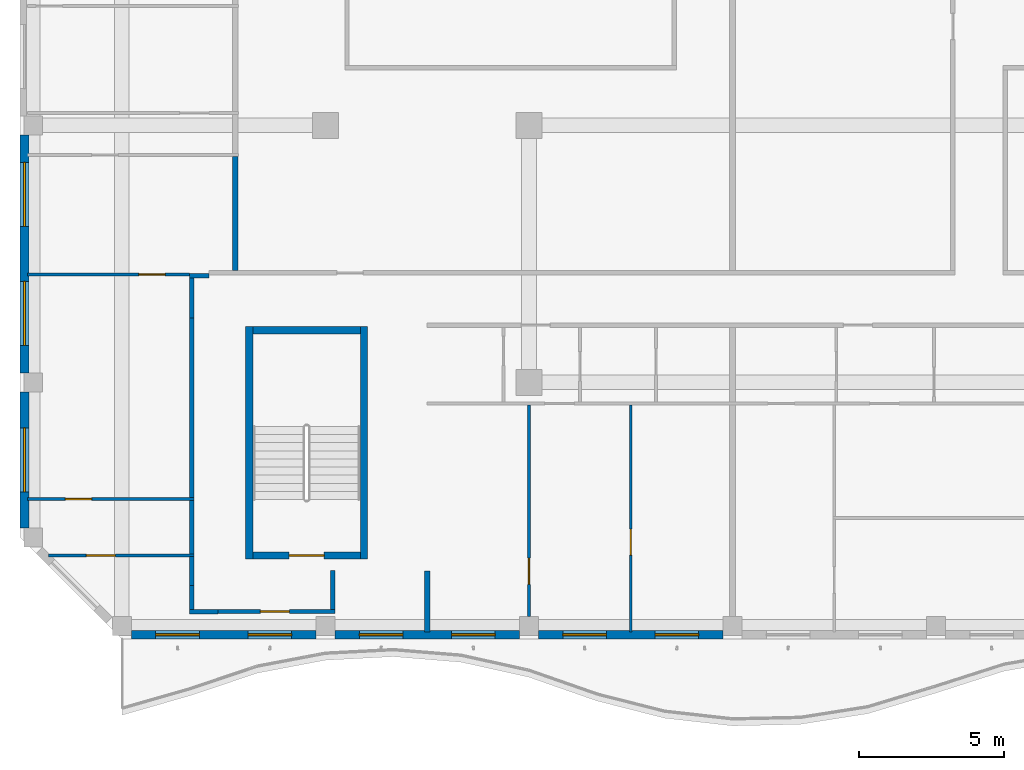
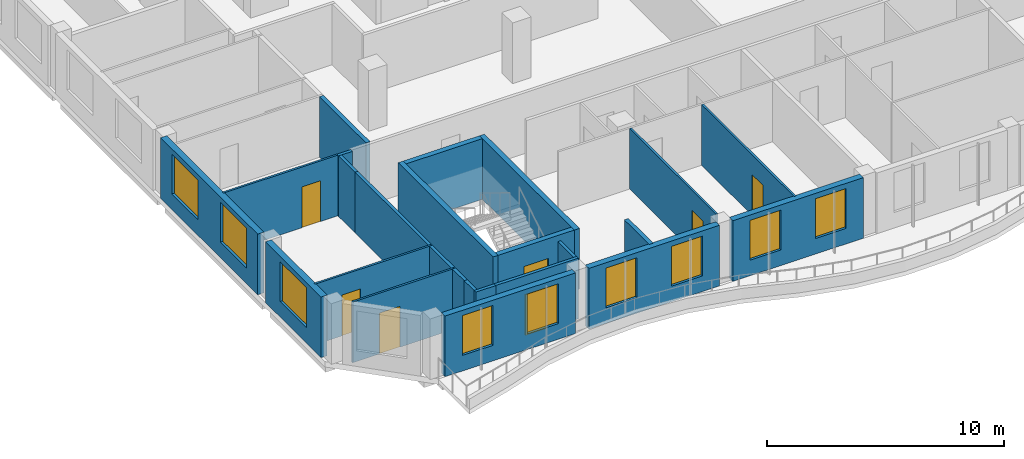
# One storey, part 2 of 18: 25 walls, 9 windows, 7 doors, 16 openings.
"""IFC4 building model written with IfcOpenShell, lengths in metres."""

from ifc_helpers import new_model, si_unit, direction, frame, frame_2d, origin, place, context, subcontext, project, spatial, rectangle, extrude, source, transform, mapped, material, layer, layer_set, type_object, element, fill, save


model = new_model("IFC4")

# Units and contexts
model_context = context("Model", 3, precision=1e-05, world=origin(), true_north=direction((0.0, 1.0)))
body_context = subcontext(model_context, "Body", "Model", "MODEL_VIEW")
ifc_project = project(units=[si_unit("LENGTHUNIT", "METRE"), si_unit("AREAUNIT", "SQUARE_METRE"), si_unit("VOLUMEUNIT", "CUBIC_METRE"), si_unit("PLANEANGLEUNIT", "RADIAN"), si_unit("MASSUNIT", "GRAM", prefix="KILO")], contexts=[model_context])

# Site, building, storey
site_placement = place(None, origin())
site = spatial("IfcSite", under=ifc_project, at=site_placement, CompositionType="ELEMENT")
building_placement = place(site_placement, origin())
building = spatial("IfcBuilding", under=site, at=building_placement, Name="Kilnfold Tower and Market Hall", CompositionType="ELEMENT")
storey_placement = place(building_placement, frame((0.0, 0.0, 280.60009765625)))
storey = spatial("IfcBuildingStorey", under=building, at=storey_placement, Name="L69", CompositionType="ELEMENT", Elevation=280.60009765625)

# Wall
ifc_material_1 = material(Name="Gypsum board on steel studs", Category="steel")
ifc_layer_1 = layer(ifc_material_1, 0.14990234375)
ifc_layer_set_1 = layer_set([ifc_layer_1], Name="Gypsum board on steel studs")
wall_type_1 = type_object("IfcWallType", Name="WALL CORRIDOR 150", PredefinedType="PARTITIONING", material=ifc_layer_set_1)
wall_1_placement = place(storey_placement, frame((-14.75, -17.47509765625, 0.0), z_axis=(0.0, 0.0, 1.0), x_axis=(0.0, 1.0, 0.0)))
element("IfcWall", 1, at=wall_1_placement, inside=storey, type_object=wall_type_1, Name="Partition LY42.1", PredefinedType="PARTITIONING", context=body_context, shape_type="SweptSolid", body=[
    extrude(rectangle(XDim=1.335205078125, YDim=0.14990234375, at=frame_2d((0.66748046875, 0.0))), origin(), (0.0, 0.0, 1.0), 3.119873046875),
])

# Wall, opening, door
wall_2_placement = place(storey_placement, frame((-18.697998046875, -17.550048828125, 0.0), z_axis=(0.0, 0.0, 1.0), x_axis=(1.0, 0.0, 0.0)))
wall_2 = element("IfcWall", 2, at=wall_2_placement, inside=storey, type_object=wall_type_1, Name="Partition LY42.2", PredefinedType="PARTITIONING", context=body_context, shape_type="SweptSolid", body=[
    extrude(rectangle(XDim=4.02294921875, YDim=0.14990234375, at=frame_2d((2.011474609375, 0.0))), origin(), (0.0, 0.0, 1.0), 3.119873046875),
])
opening_1_placement = place(wall_2_placement, frame((1.4599609375, 0.0, 0.0)))
opening_1 = element("IfcOpeningElement", 3, at=opening_1_placement, cuts=wall_2, Name="Opening D1", PredefinedType="OPENING", context=body_context, shape_type="SweptSolid", body=[
    extrude(rectangle(XDim=1.0, YDim=2.10009765625, at=frame_2d((0.5, 1.050048828125))), frame((0.0, 0.0849609375, 0.0), z_axis=(0.0, -1.0, 0.0), x_axis=(1.0, 0.0, 0.0)), (0.0, 0.0, 1.0), 0.169921875),
])
ifc_material_2 = material(Name="Timber veneer door leaf in steel frame", Category="steel")
door_type_1 = type_object("IfcDoorType", Name="DOOR ENTRY 1000 X2100", OperationType="NOTDEFINED", PredefinedType="DOOR", material=ifc_material_2)
door_1_placement = place(opening_1_placement, origin())
door_1 = element("IfcDoor", 4, at=door_1_placement, inside=storey, type_object=door_type_1, Name="Door D1", OperationType="SINGLE_SWING_RIGHT", OverallHeight=2.10009765625, OverallWidth=1.0, PredefinedType="DOOR", context=body_context, shape_type="SweptSolid", body=[
    extrude(rectangle(XDim=1.0, YDim=2.10009765625, at=frame_2d((0.5, 1.050048828125))), frame((0.0, 0.02490234375, 0.0), z_axis=(0.0, -1.0, 0.0), x_axis=(1.0, 0.0, 0.0)), (0.0, 0.0, 1.0), 0.050048828125),
])
fill(opening_1, door_1)

# Walls
wall_3_placement = place(storey_placement, frame((-19.677001953125, -17.552001953125, 0.0), z_axis=(0.0, 0.0, 1.0), x_axis=(1.0, 0.0, 0.0)))
element("IfcWall", 5, at=wall_3_placement, inside=storey, type_object=wall_type_1, Name="Partition LY42.3", PredefinedType="PARTITIONING", context=body_context, shape_type="SweptSolid", body=[
    extrude(rectangle(XDim=0.97900390625, YDim=0.14990234375, at=frame_2d((0.489501953125, 0.0))), origin(), (0.0, 0.0, 1.0), 3.119873046875),
])
wall_4_placement = place(storey_placement, frame((-19.60205078125, -17.47705078125, 0.0), z_axis=(0.0, 0.0, 1.0), x_axis=(0.0, 1.0, 0.0)))
element("IfcWall", 6, at=wall_4_placement, inside=storey, type_object=wall_type_1, Name="Partition LY42.4", PredefinedType="PARTITIONING", context=body_context, shape_type="SweptSolid", body=[
    extrude(rectangle(XDim=0.8291015625, YDim=0.14990234375, at=frame_2d((0.41455078125, 0.0))), origin(), (0.0, 0.0, 1.0), 3.119873046875),
])
wall_5_placement = place(storey_placement, frame((-19.60009765625, -16.64794921875, 0.0), z_axis=(0.0, 0.0, 1.0), x_axis=(0.0, 1.0, 0.0)))
element("IfcWall", 7, at=wall_5_placement, inside=storey, type_object=wall_type_1, Name="Partition LY42.5", PredefinedType="PARTITIONING", context=body_context, shape_type="SweptSolid", body=[
    extrude(rectangle(XDim=0.989990234375, YDim=0.14990234375, at=frame_2d((0.4951171875, 0.0))), origin(), (0.0, 0.0, 1.0), 3.119873046875),
])
wall_6_placement = place(storey_placement, frame((-19.60009765625, -15.577880859375, 0.0), z_axis=(0.0, 0.0, 1.0), x_axis=(0.0, 1.0, 0.0)))
element("IfcWall", 8, at=wall_6_placement, inside=storey, type_object=wall_type_1, Name="Partition LY42.6", PredefinedType="PARTITIONING", context=body_context, shape_type="SweptSolid", body=[
    extrude(rectangle(XDim=1.85498046875, YDim=0.14990234375, at=frame_2d((0.927490234375, 0.0))), origin(), (0.0, 0.0, 1.0), 3.119873046875),
])
wall_7_placement = place(storey_placement, frame((-19.0, -5.99609375, 0.0), z_axis=(0.0, 0.0, 1.0), x_axis=(-1.0, 0.0, 0.0)))
element("IfcWall", 9, at=wall_7_placement, inside=storey, type_object=wall_type_1, Name="Partition LY42.7", PredefinedType="PARTITIONING", context=body_context, shape_type="SweptSolid", body=[
    extrude(rectangle(XDim=0.677001953125, YDim=0.14990234375, at=frame_2d((0.33837890625, 0.0))), origin(), (0.0, 0.0, 1.0), 3.119873046875),
])
wall_8_placement = place(storey_placement, frame((-19.60009765625, -13.64306640625, 0.0), z_axis=(0.0, 0.0, 1.0), x_axis=(0.0, 1.0, 0.0)))
element("IfcWall", 10, at=wall_8_placement, inside=storey, type_object=wall_type_1, Name="Partition LY42.8", PredefinedType="PARTITIONING", context=body_context, shape_type="SweptSolid", body=[
    extrude(rectangle(XDim=6.191162109375, YDim=0.14990234375, at=frame_2d((3.095703125, 0.0))), origin(), (0.0, 0.0, 1.0), 3.119873046875),
])
wall_9_placement = place(storey_placement, frame((-19.60205078125, -7.451904296875, 0.0), z_axis=(0.0, 0.0, 1.0), x_axis=(0.0, 1.0, 0.0)))
element("IfcWall", 11, at=wall_9_placement, inside=storey, type_object=wall_type_1, Name="Partition LY42.9", PredefinedType="PARTITIONING", context=body_context, shape_type="SweptSolid", body=[
    extrude(rectangle(XDim=1.380859375, YDim=0.14990234375, at=frame_2d((0.6904296875, 0.0))), origin(), (0.0, 0.0, 1.0), 3.119873046875),
])

# Wall, opening, door
ifc_material_3 = material(Name="Gypsum board on steel studs", Category="steel")
ifc_layer_2 = layer(ifc_material_3, 0.10009765625)
ifc_layer_set_2 = layer_set([ifc_layer_2], Name="Gypsum board on steel studs")
wall_type_2 = type_object("IfcWallType", Name="WALL PARTITION 100", PredefinedType="PARTITIONING", material=ifc_layer_set_2)
wall_10_placement = place(storey_placement, frame((-19.527099609375, -15.617919921875, 0.0), z_axis=(0.0, 0.0, 1.0), x_axis=(-1.0, 0.0, 0.0)))
wall_10 = element("IfcWall", 12, at=wall_10_placement, inside=storey, type_object=wall_type_2, Name="Partition LY42.33", PredefinedType="PARTITIONING", context=body_context, shape_type="SweptSolid", body=[
    extrude(rectangle(XDim=5.0009765625, YDim=0.10009765625, at=frame_2d((2.50048828125, 0.0))), origin(), (0.0, 0.0, 1.0), 3.119873046875),
])
opening_2_placement = place(wall_10_placement, frame((2.700927734375, 0.0, 0.0)))
opening_2 = element("IfcOpeningElement", 13, at=opening_2_placement, cuts=wall_10, Name="Opening D1", PredefinedType="OPENING", context=body_context, shape_type="SweptSolid", body=[
    extrude(rectangle(XDim=1.0, YDim=2.10009765625, at=frame_2d((0.5, 1.050048828125))), frame((0.0, 0.06005859375, 0.0), z_axis=(0.0, -1.0, 0.0), x_axis=(1.0, 0.0, 0.0)), (0.0, 0.0, 1.0), 0.1201171875),
])
door_2_placement = place(opening_2_placement, origin())
door_2 = element("IfcDoor", 14, at=door_2_placement, inside=storey, type_object=door_type_1, Name="Door D1", OperationType="SINGLE_SWING_RIGHT", OverallHeight=2.10009765625, OverallWidth=1.0, PredefinedType="DOOR", context=body_context, shape_type="SweptSolid", body=[
    extrude(rectangle(XDim=1.0, YDim=2.10009765625, at=frame_2d((0.5, 1.050048828125))), frame((0.0, 0.02490234375, 0.0), z_axis=(0.0, -1.0, 0.0), x_axis=(1.0, 0.0, 0.0)), (0.0, 0.0, 1.0), 0.050048828125),
])
fill(opening_2, door_2)

wall_11_placement = place(storey_placement, frame((-19.527099609375, -13.68310546875, 0.0), z_axis=(0.0, 0.0, 1.0), x_axis=(-1.0, 0.0, 0.0)))
wall_11 = element("IfcWall", 15, at=wall_11_placement, inside=storey, type_object=wall_type_2, Name="Partition LY42.35", PredefinedType="PARTITIONING", context=body_context, shape_type="SweptSolid", body=[
    extrude(rectangle(XDim=5.722900390625, YDim=0.10009765625, at=frame_2d((2.861328125, 0.0))), origin(), (0.0, 0.0, 1.0), 3.119873046875),
])
opening_3_placement = place(wall_11_placement, frame((3.51708984375, 0.0, 0.0)))
opening_3 = element("IfcOpeningElement", 16, at=opening_3_placement, cuts=wall_11, Name="Opening D2", PredefinedType="OPENING", context=body_context, shape_type="SweptSolid", body=[
    extrude(rectangle(XDim=0.89990234375, YDim=2.10009765625, at=frame_2d((0.449951171875, 1.050048828125))), frame((0.0, 0.06005859375, 0.0), z_axis=(0.0, -1.0, 0.0), x_axis=(1.0, 0.0, 0.0)), (0.0, 0.0, 1.0), 0.1201171875),
])
ifc_material_4 = material(Name="Timber veneer door leaf in steel frame", Category="steel")
door_type_2 = type_object("IfcDoorType", Name="DOOR ROOM 900 X2100", OperationType="NOTDEFINED", PredefinedType="DOOR", material=ifc_material_4)
door_3_placement = place(opening_3_placement, origin())
door_3 = element("IfcDoor", 17, at=door_3_placement, inside=storey, type_object=door_type_2, Name="Door D2", OperationType="SINGLE_SWING_RIGHT", OverallHeight=2.10009765625, OverallWidth=0.89990234375, PredefinedType="DOOR", context=body_context, shape_type="SweptSolid", body=[
    extrude(rectangle(XDim=0.89990234375, YDim=2.10009765625, at=frame_2d((0.449951171875, 1.050048828125))), frame((0.0, 0.02490234375, 0.0), z_axis=(0.0, -1.0, 0.0), x_axis=(1.0, 0.0, 0.0)), (0.0, 0.0, 1.0), 0.050048828125),
])
fill(opening_3, door_3)

wall_12_placement = place(storey_placement, frame((-19.677001953125, -5.9580078125, 0.0), z_axis=(0.0, 0.0, 1.0), x_axis=(-1.0, 0.0, 0.0)))
wall_12 = element("IfcWall", 18, at=wall_12_placement, inside=storey, type_object=wall_type_2, Name="Partition LY42.36", PredefinedType="PARTITIONING", context=body_context, shape_type="SweptSolid", body=[
    extrude(rectangle(XDim=5.572998046875, YDim=0.10009765625, at=frame_2d((2.78662109375, 0.0))), origin(), (0.0, 0.0, 1.0), 3.119873046875),
])
opening_4_placement = place(wall_12_placement, frame((0.837890625, 0.0, 0.0)))
opening_4 = element("IfcOpeningElement", 19, at=opening_4_placement, cuts=wall_12, Name="Opening D2", PredefinedType="OPENING", context=body_context, shape_type="SweptSolid", body=[
    extrude(rectangle(XDim=0.89990234375, YDim=2.10009765625, at=frame_2d((0.449951171875, 1.050048828125))), frame((0.0, 0.06005859375, 0.0), z_axis=(0.0, -1.0, 0.0), x_axis=(1.0, 0.0, 0.0)), (0.0, 0.0, 1.0), 0.1201171875),
])
door_4_placement = place(opening_4_placement, origin())
door_4 = element("IfcDoor", 20, at=door_4_placement, inside=storey, type_object=door_type_2, Name="Door D2", OperationType="SINGLE_SWING_RIGHT", OverallHeight=2.10009765625, OverallWidth=0.89990234375, PredefinedType="DOOR", context=body_context, shape_type="SweptSolid", body=[
    extrude(rectangle(XDim=0.89990234375, YDim=2.10009765625, at=frame_2d((0.449951171875, 1.050048828125))), frame((0.0, 0.02490234375, 0.0), z_axis=(0.0, -1.0, 0.0), x_axis=(1.0, 0.0, 0.0)), (0.0, 0.0, 1.0), 0.050048828125),
])
fill(opening_4, door_4)

wall_13_placement = place(storey_placement, frame((-8.0, -17.72509765625, 0.0), z_axis=(0.0, 0.0, 1.0), x_axis=(0.0, 1.0, 0.0)))
wall_13 = element("IfcWall", 21, at=wall_13_placement, inside=storey, type_object=wall_type_2, Name="Partition LY42.51", PredefinedType="PARTITIONING", context=body_context, shape_type="SweptSolid", body=[
    extrude(rectangle(XDim=7.273193359375, YDim=0.10009765625, at=frame_2d((3.63671875, 0.0))), origin(), (0.0, 0.0, 1.0), 3.119873046875),
])
opening_5_placement = place(wall_13_placement, frame((1.111083984375, 0.0, 0.0)))
opening_5 = element("IfcOpeningElement", 22, at=opening_5_placement, cuts=wall_13, Name="Opening D2", PredefinedType="OPENING", context=body_context, shape_type="SweptSolid", body=[
    extrude(rectangle(XDim=0.89990234375, YDim=2.10009765625, at=frame_2d((0.449951171875, 1.050048828125))), frame((0.0, 0.06005859375, 0.0), z_axis=(0.0, -1.0, 0.0), x_axis=(1.0, 0.0, 0.0)), (0.0, 0.0, 1.0), 0.1201171875),
])
door_5_placement = place(opening_5_placement, origin())
door_5 = element("IfcDoor", 23, at=door_5_placement, inside=storey, type_object=door_type_2, Name="Door D2", OperationType="SINGLE_SWING_LEFT", OverallHeight=2.10009765625, OverallWidth=0.89990234375, PredefinedType="DOOR", context=body_context, shape_type="SweptSolid", body=[
    extrude(rectangle(XDim=0.89990234375, YDim=2.10009765625, at=frame_2d((0.449951171875, 1.050048828125))), frame((0.0, 0.02490234375, 0.0), z_axis=(0.0, -1.0, 0.0), x_axis=(1.0, 0.0, 0.0)), (0.0, 0.0, 1.0), 0.050048828125),
])
fill(opening_5, door_5)

wall_14_placement = place(storey_placement, frame((-4.5, -18.25, 0.0), z_axis=(0.0, 0.0, 1.0), x_axis=(0.0, 1.0, 0.0)))
wall_14 = element("IfcWall", 24, at=wall_14_placement, inside=storey, type_object=wall_type_2, Name="Partition LY42.52", PredefinedType="PARTITIONING", context=body_context, shape_type="SweptSolid", body=[
    extrude(rectangle(XDim=7.798095703125, YDim=0.10009765625, at=frame_2d((3.89892578125, 0.0))), origin(), (0.0, 0.0, 1.0), 3.119873046875),
])
opening_6_placement = place(wall_14_placement, frame((2.636962890625, 0.0, 0.0)))
opening_6 = element("IfcOpeningElement", 25, at=opening_6_placement, cuts=wall_14, Name="Opening D2", PredefinedType="OPENING", context=body_context, shape_type="SweptSolid", body=[
    extrude(rectangle(XDim=0.89990234375, YDim=2.10009765625, at=frame_2d((0.449951171875, 1.050048828125))), frame((0.0, 0.06005859375, 0.0), z_axis=(0.0, -1.0, 0.0), x_axis=(1.0, 0.0, 0.0)), (0.0, 0.0, 1.0), 0.1201171875),
])
door_6_placement = place(opening_6_placement, origin())
door_6 = element("IfcDoor", 26, at=door_6_placement, inside=storey, type_object=door_type_2, Name="Door D2", OperationType="SINGLE_SWING_LEFT", OverallHeight=2.10009765625, OverallWidth=0.89990234375, PredefinedType="DOOR", context=body_context, shape_type="SweptSolid", body=[
    extrude(rectangle(XDim=0.89990234375, YDim=2.10009765625, at=frame_2d((0.449951171875, 1.050048828125))), frame((0.0, 0.02490234375, 0.0), z_axis=(0.0, -1.0, 0.0), x_axis=(1.0, 0.0, 0.0)), (0.0, 0.0, 1.0), 0.050048828125),
])
fill(opening_6, door_6)

# Walls
ifc_material_5 = material(Name="Gypsum board on steel studs", Category="steel")
ifc_layer_3 = layer(ifc_material_5, 0.199951171875)
ifc_layer_set_3 = layer_set([ifc_layer_3], Name="Gypsum board on steel studs")
wall_type_3 = type_object("IfcWallType", Name="WALL PARTY 200", PredefinedType="PARTITIONING", material=ifc_layer_set_3)
wall_15_placement = place(storey_placement, frame((-11.5, -18.25, 0.0), z_axis=(0.0, 0.0, 1.0), x_axis=(0.0, 1.0, 0.0)))
element("IfcWall", 27, at=wall_15_placement, inside=storey, type_object=wall_type_3, Name="Partition LY42.34", PredefinedType="PARTITIONING", context=body_context, shape_type="SweptSolid", body=[
    extrude(rectangle(XDim=2.10009765625, YDim=0.199951171875, at=frame_2d((1.050048828125, 0.0))), origin(), (0.0, 0.0, 1.0), 3.119873046875),
])
wall_16_placement = place(storey_placement, frame((-18.10009765625, -5.822998046875, 0.0), z_axis=(0.0, 0.0, 1.0), x_axis=(0.0, 1.0, 0.0)))
element("IfcWall", 28, at=wall_16_placement, inside=storey, type_object=wall_type_3, Name="Partition LY42.38", PredefinedType="PARTITIONING", context=body_context, shape_type="SweptSolid", body=[
    extrude(rectangle(XDim=3.930908203125, YDim=0.199951171875, at=frame_2d((1.96533203125, 0.0))), origin(), (0.0, 0.0, 1.0), 3.119873046875),
])

# Wall, opening, door
ifc_material_6 = material(Name="Concrete C50", Category="concrete")
ifc_layer_4 = layer(ifc_material_6, 0.25)
ifc_layer_set_4 = layer_set([ifc_layer_4], Name="Concrete C50")
wall_type_4 = type_object("IfcWallType", Name="CORE WALL 250 C50", PredefinedType="SHEAR", material=ifc_layer_set_4)
shared_shape_1 = source(origin(), body_context, "Body", "SweptSolid", [
    extrude(rectangle(XDim=3.699951171875, YDim=0.25, at=frame_2d((1.85009765625, 0.0))), origin(), (0.0, 0.0, 1.0), 3.119873046875),
])
wall_17_placement = place(storey_placement, frame((-17.5, -15.625, 0.0), z_axis=(0.0, 0.0, 1.0), x_axis=(1.0, 0.0, 0.0)))
wall_17 = element("IfcWall", 29, at=wall_17_placement, inside=storey, type_object=wall_type_4, Name="Stair enclosure ST3", PredefinedType="SHEAR", context=body_context, shape_type="MappedRepresentation", body=[
    mapped(shared_shape_1, transform((0.0, 0.0, 0.0))),
])
opening_7_placement = place(wall_17_placement, frame((1.25, 0.0, 0.0)))
opening_7 = element("IfcOpeningElement", 30, at=opening_7_placement, cuts=wall_17, Name="Opening SD1", PredefinedType="OPENING", context=body_context, shape_type="SweptSolid", body=[
    extrude(rectangle(XDim=1.199951171875, YDim=2.10009765625, at=frame_2d((0.60009765625, 1.050048828125))), frame((0.0, 0.135009765625, 0.0), z_axis=(0.0, -1.0, 0.0), x_axis=(1.0, 0.0, 0.0)), (0.0, 0.0, 1.0), 0.27001953125),
])
ifc_material_7 = material(Name="Steel door set with fire-resisting leaf", Category="steel")
door_type_3 = type_object("IfcDoorType", Name="STAIR FLOOR DOOR 1200X2100", OperationType="NOTDEFINED", PredefinedType="DOOR", material=ifc_material_7)
door_7_placement = place(opening_7_placement, origin())
door_7 = element("IfcDoor", 31, at=door_7_placement, inside=storey, type_object=door_type_3, Name="Exit stair ST3 door", OperationType="DOUBLE_DOOR_SINGLE_SWING", OverallHeight=2.10009765625, OverallWidth=1.199951171875, PredefinedType="DOOR", context=body_context, shape_type="SweptSolid", body=[
    extrude(rectangle(XDim=1.199951171875, YDim=2.10009765625, at=frame_2d((0.60009765625, 1.050048828125))), frame((0.0, 0.02490234375, 0.0), z_axis=(0.0, -1.0, 0.0), x_axis=(1.0, 0.0, 0.0)), (0.0, 0.0, 1.0), 0.050048828125),
])
fill(opening_7, door_7)

# Walls
wall_18_placement = place(storey_placement, frame((-17.5, -7.875, 0.0), z_axis=(0.0, 0.0, 1.0), x_axis=(1.0, 0.0, 0.0)))
element("IfcWall", 32, at=wall_18_placement, inside=storey, type_object=wall_type_4, Name="Stair enclosure ST3", PredefinedType="SHEAR", context=body_context, shape_type="MappedRepresentation", body=[
    mapped(shared_shape_1, transform((0.0, 0.0, 0.0))),
])
shared_shape_2 = source(origin(), body_context, "Body", "SweptSolid", [
    extrude(rectangle(XDim=8.0, YDim=0.25, at=frame_2d((4.0, 0.0))), origin(), (0.0, 0.0, 1.0), 3.119873046875),
])
for number, where, z_axis, x_axis, name in (
    (33, (-17.625, -15.75, 0.0), (0.0, 0.0, 1.0), (0.0, 1.0, 0.0), "Stair enclosure ST3"),
    (34, (-13.675048828125, -15.75, 0.0), (0.0, 0.0, 1.0), (0.0, 1.0, 0.0), "Stair enclosure ST3"),
):
    element("IfcWall", number, at=place(storey_placement, frame(where, z_axis=z_axis, x_axis=x_axis)), inside=storey, type_object=wall_type_4, Name=name, PredefinedType="SHEAR", context=body_context, shape_type="MappedRepresentation", body=[
        mapped(shared_shape_2, transform((0.0, 0.0, 0.0))),
    ])

# Wall, openings, windows
ifc_material_8 = material(Name="Precast concrete C50/60", Category="concrete")
ifc_layer_5 = layer(ifc_material_8, 0.300048828125)
ifc_layer_set_5 = layer_set([ifc_layer_5], Name="Precast concrete C50/60")
wall_type_5 = type_object("IfcWallType", Name="PRECAST WALL 300", PredefinedType="SOLIDWALL", material=ifc_layer_set_5)
shared_shape_3 = source(origin(), body_context, "Body", "SweptSolid", [
    extrude(rectangle(XDim=6.35009765625, YDim=0.300048828125, at=frame_2d((3.175048828125, 0.0))), origin(), (0.0, 0.0, 1.0), 3.119873046875),
])
wall_19_placement = place(storey_placement, frame((-21.675048828125, -18.35009765625, 0.0), z_axis=(0.0, 0.0, 1.0), x_axis=(1.0, 0.0, 0.0)))
wall_19 = element("IfcWall", 35, at=wall_19_placement, inside=storey, type_object=wall_type_5, Name="External wall L69 S", PredefinedType="SOLIDWALL", context=body_context, shape_type="MappedRepresentation", body=[
    mapped(shared_shape_3, transform((0.0, 0.0, 0.0))),
])
opening_8_placement = place(wall_19_placement, frame((0.83740234375, 0.0, 0.800048828125)))
opening_8 = element("IfcOpeningElement", 36, at=opening_8_placement, cuts=wall_19, Name="Opening W5", PredefinedType="OPENING", context=body_context, shape_type="SweptSolid", body=[
    extrude(rectangle(XDim=1.5, YDim=2.050048828125, at=frame_2d((0.75, 1.02490234375))), frame((0.0, 0.16015625, 0.0), z_axis=(0.0, -1.0, 0.0), x_axis=(1.0, 0.0, 0.0)), (0.0, 0.0, 1.0), 0.320068359375),
])
opening_9_placement = place(wall_19_placement, frame((4.012451171875, 0.0, 0.800048828125)))
opening_9 = element("IfcOpeningElement", 37, at=opening_9_placement, cuts=wall_19, Name="Opening W5", PredefinedType="OPENING", context=body_context, shape_type="SweptSolid", body=[
    extrude(rectangle(XDim=1.5, YDim=2.050048828125, at=frame_2d((0.75, 1.02490234375))), frame((0.0, 0.16015625, 0.0), z_axis=(0.0, -1.0, 0.0), x_axis=(1.0, 0.0, 0.0)), (0.0, 0.0, 1.0), 0.320068359375),
])
ifc_material_9 = material(Name="Aluminium frame and double glazing", Category="aluminium")
window_type_1 = type_object("IfcWindowType", Name="WINDOW W5 1500X2050", PartitioningType="SINGLE_PANEL", PredefinedType="WINDOW", material=ifc_material_9)
window_1_placement = place(opening_8_placement, origin())
window_1 = element("IfcWindow", 38, at=window_1_placement, inside=storey, type_object=window_type_1, Name="Window W5 L69 S-1", OverallHeight=2.050048828125, OverallWidth=1.5, PartitioningType="SINGLE_PANEL", PredefinedType="WINDOW", context=body_context, shape_type="SweptSolid", body=[
    extrude(rectangle(XDim=1.5, YDim=2.050048828125, at=frame_2d((0.75, 1.02490234375))), frame((0.0, 0.030029296875, 0.0), z_axis=(0.0, -1.0, 0.0), x_axis=(1.0, 0.0, 0.0)), (0.0, 0.0, 1.0), 0.06005859375),
])
fill(opening_8, window_1)
window_2_placement = place(opening_9_placement, origin())
window_2 = element("IfcWindow", 39, at=window_2_placement, inside=storey, type_object=window_type_1, Name="Window W5 L69 S-2", OverallHeight=2.050048828125, OverallWidth=1.5, PartitioningType="SINGLE_PANEL", PredefinedType="WINDOW", context=body_context, shape_type="SweptSolid", body=[
    extrude(rectangle(XDim=1.5, YDim=2.050048828125, at=frame_2d((0.75, 1.02490234375))), frame((0.0, 0.030029296875, 0.0), z_axis=(0.0, -1.0, 0.0), x_axis=(1.0, 0.0, 0.0)), (0.0, 0.0, 1.0), 0.06005859375),
])
fill(opening_9, window_2)

wall_20_placement = place(storey_placement, frame((-14.675048828125, -18.35009765625, 0.0), z_axis=(0.0, 0.0, 1.0), x_axis=(1.0, 0.0, 0.0)))
wall_20 = element("IfcWall", 40, at=wall_20_placement, inside=storey, type_object=wall_type_5, Name="External wall L69 S", PredefinedType="SOLIDWALL", context=body_context, shape_type="MappedRepresentation", body=[
    mapped(shared_shape_3, transform((0.0, 0.0, 0.0))),
])
opening_10_placement = place(wall_20_placement, frame((0.83740234375, 0.0, 0.800048828125)))
opening_10 = element("IfcOpeningElement", 41, at=opening_10_placement, cuts=wall_20, Name="Opening W5", PredefinedType="OPENING", context=body_context, shape_type="SweptSolid", body=[
    extrude(rectangle(XDim=1.5, YDim=2.050048828125, at=frame_2d((0.75, 1.02490234375))), frame((0.0, 0.16015625, 0.0), z_axis=(0.0, -1.0, 0.0), x_axis=(1.0, 0.0, 0.0)), (0.0, 0.0, 1.0), 0.320068359375),
])
opening_11_placement = place(wall_20_placement, frame((4.012451171875, 0.0, 0.800048828125)))
opening_11 = element("IfcOpeningElement", 42, at=opening_11_placement, cuts=wall_20, Name="Opening W5", PredefinedType="OPENING", context=body_context, shape_type="SweptSolid", body=[
    extrude(rectangle(XDim=1.5, YDim=2.050048828125, at=frame_2d((0.75, 1.02490234375))), frame((0.0, 0.16015625, 0.0), z_axis=(0.0, -1.0, 0.0), x_axis=(1.0, 0.0, 0.0)), (0.0, 0.0, 1.0), 0.320068359375),
])
window_3_placement = place(opening_10_placement, origin())
window_3 = element("IfcWindow", 43, at=window_3_placement, inside=storey, type_object=window_type_1, Name="Window W5 L69 S-1", OverallHeight=2.050048828125, OverallWidth=1.5, PartitioningType="SINGLE_PANEL", PredefinedType="WINDOW", context=body_context, shape_type="SweptSolid", body=[
    extrude(rectangle(XDim=1.5, YDim=2.050048828125, at=frame_2d((0.75, 1.02490234375))), frame((0.0, 0.030029296875, 0.0), z_axis=(0.0, -1.0, 0.0), x_axis=(1.0, 0.0, 0.0)), (0.0, 0.0, 1.0), 0.06005859375),
])
fill(opening_10, window_3)
window_4_placement = place(opening_11_placement, origin())
window_4 = element("IfcWindow", 44, at=window_4_placement, inside=storey, type_object=window_type_1, Name="Window W5 L69 S-2", OverallHeight=2.050048828125, OverallWidth=1.5, PartitioningType="SINGLE_PANEL", PredefinedType="WINDOW", context=body_context, shape_type="SweptSolid", body=[
    extrude(rectangle(XDim=1.5, YDim=2.050048828125, at=frame_2d((0.75, 1.02490234375))), frame((0.0, 0.030029296875, 0.0), z_axis=(0.0, -1.0, 0.0), x_axis=(1.0, 0.0, 0.0)), (0.0, 0.0, 1.0), 0.06005859375),
])
fill(opening_11, window_4)

wall_21_placement = place(storey_placement, frame((-7.675048828125, -18.35009765625, 0.0), z_axis=(0.0, 0.0, 1.0), x_axis=(1.0, 0.0, 0.0)))
wall_21 = element("IfcWall", 45, at=wall_21_placement, inside=storey, type_object=wall_type_5, Name="External wall L69 S", PredefinedType="SOLIDWALL", context=body_context, shape_type="MappedRepresentation", body=[
    mapped(shared_shape_3, transform((0.0, 0.0, 0.0))),
])
opening_12_placement = place(wall_21_placement, frame((0.83740234375, 0.0, 0.800048828125)))
opening_12 = element("IfcOpeningElement", 46, at=opening_12_placement, cuts=wall_21, Name="Opening W5", PredefinedType="OPENING", context=body_context, shape_type="SweptSolid", body=[
    extrude(rectangle(XDim=1.5, YDim=2.050048828125, at=frame_2d((0.75, 1.02490234375))), frame((0.0, 0.16015625, 0.0), z_axis=(0.0, -1.0, 0.0), x_axis=(1.0, 0.0, 0.0)), (0.0, 0.0, 1.0), 0.320068359375),
])
opening_13_placement = place(wall_21_placement, frame((4.012451171875, 0.0, 0.800048828125)))
opening_13 = element("IfcOpeningElement", 47, at=opening_13_placement, cuts=wall_21, Name="Opening W5", PredefinedType="OPENING", context=body_context, shape_type="SweptSolid", body=[
    extrude(rectangle(XDim=1.5, YDim=2.050048828125, at=frame_2d((0.75, 1.02490234375))), frame((0.0, 0.16015625, 0.0), z_axis=(0.0, -1.0, 0.0), x_axis=(1.0, 0.0, 0.0)), (0.0, 0.0, 1.0), 0.320068359375),
])
window_5_placement = place(opening_12_placement, origin())
window_5 = element("IfcWindow", 48, at=window_5_placement, inside=storey, type_object=window_type_1, Name="Window W5 L69 S-1", OverallHeight=2.050048828125, OverallWidth=1.5, PartitioningType="SINGLE_PANEL", PredefinedType="WINDOW", context=body_context, shape_type="SweptSolid", body=[
    extrude(rectangle(XDim=1.5, YDim=2.050048828125, at=frame_2d((0.75, 1.02490234375))), frame((0.0, 0.030029296875, 0.0), z_axis=(0.0, -1.0, 0.0), x_axis=(1.0, 0.0, 0.0)), (0.0, 0.0, 1.0), 0.06005859375),
])
fill(opening_12, window_5)
window_6_placement = place(opening_13_placement, origin())
window_6 = element("IfcWindow", 49, at=window_6_placement, inside=storey, type_object=window_type_1, Name="Window W5 L69 S-2", OverallHeight=2.050048828125, OverallWidth=1.5, PartitioningType="SINGLE_PANEL", PredefinedType="WINDOW", context=body_context, shape_type="SweptSolid", body=[
    extrude(rectangle(XDim=1.5, YDim=2.050048828125, at=frame_2d((0.75, 1.02490234375))), frame((0.0, 0.030029296875, 0.0), z_axis=(0.0, -1.0, 0.0), x_axis=(1.0, 0.0, 0.0)), (0.0, 0.0, 1.0), 0.06005859375),
])
fill(opening_13, window_6)

shared_shape_4 = source(origin(), body_context, "Body", "SweptSolid", [
    extrude(rectangle(XDim=8.18359375, YDim=0.300048828125, at=frame_2d((4.091796875, 0.0))), origin(), (0.0, 0.0, 1.0), 3.119873046875),
])
wall_22_placement = place(storey_placement, frame((-25.35009765625, -1.158203125, 0.0), z_axis=(0.0, 0.0, 1.0), x_axis=(0.0, -1.0, 0.0)))
wall_22 = element("IfcWall", 50, at=wall_22_placement, inside=storey, type_object=wall_type_5, Name="External wall L69 W", PredefinedType="SOLIDWALL", context=body_context, shape_type="MappedRepresentation", body=[
    mapped(shared_shape_4, transform((0.0, 0.0, 0.0))),
])
opening_14_placement = place(wall_22_placement, frame((0.94580078125, 0.0, 0.800048828125)))
opening_14 = element("IfcOpeningElement", 51, at=opening_14_placement, cuts=wall_22, Name="Opening W3", PredefinedType="OPENING", context=body_context, shape_type="SweptSolid", body=[
    extrude(rectangle(XDim=2.199951171875, YDim=2.050048828125, at=frame_2d((1.10009765625, 1.02490234375))), frame((0.0, 0.16015625, 0.0), z_axis=(0.0, -1.0, 0.0), x_axis=(1.0, 0.0, 0.0)), (0.0, 0.0, 1.0), 0.320068359375),
])
opening_15_placement = place(wall_22_placement, frame((5.03759765625, 0.0, 0.800048828125)))
opening_15 = element("IfcOpeningElement", 52, at=opening_15_placement, cuts=wall_22, Name="Opening W3", PredefinedType="OPENING", context=body_context, shape_type="SweptSolid", body=[
    extrude(rectangle(XDim=2.199951171875, YDim=2.050048828125, at=frame_2d((1.10009765625, 1.02490234375))), frame((0.0, 0.16015625, 0.0), z_axis=(0.0, -1.0, 0.0), x_axis=(1.0, 0.0, 0.0)), (0.0, 0.0, 1.0), 0.320068359375),
])
ifc_material_10 = material(Name="Aluminium frame and double glazing", Category="aluminium")
window_type_2 = type_object("IfcWindowType", Name="WINDOW W3 2200X2050", PartitioningType="SINGLE_PANEL", PredefinedType="WINDOW", material=ifc_material_10)
window_7_placement = place(opening_14_placement, origin())
window_7 = element("IfcWindow", 53, at=window_7_placement, inside=storey, type_object=window_type_2, Name="Window W3 L69 W-1", OverallHeight=2.050048828125, OverallWidth=2.199951171875, PartitioningType="SINGLE_PANEL", PredefinedType="WINDOW", context=body_context, shape_type="SweptSolid", body=[
    extrude(rectangle(XDim=2.199951171875, YDim=2.050048828125, at=frame_2d((1.10009765625, 1.02490234375))), frame((0.0, 0.030029296875, 0.0), z_axis=(0.0, -1.0, 0.0), x_axis=(1.0, 0.0, 0.0)), (0.0, 0.0, 1.0), 0.06005859375),
])
fill(opening_14, window_7)
window_8_placement = place(opening_15_placement, origin())
window_8 = element("IfcWindow", 54, at=window_8_placement, inside=storey, type_object=window_type_2, Name="Window W3 L69 W-2", OverallHeight=2.050048828125, OverallWidth=2.199951171875, PartitioningType="SINGLE_PANEL", PredefinedType="WINDOW", context=body_context, shape_type="SweptSolid", body=[
    extrude(rectangle(XDim=2.199951171875, YDim=2.050048828125, at=frame_2d((1.10009765625, 1.02490234375))), frame((0.0, 0.030029296875, 0.0), z_axis=(0.0, -1.0, 0.0), x_axis=(1.0, 0.0, 0.0)), (0.0, 0.0, 1.0), 0.06005859375),
])
fill(opening_15, window_8)

# Wall, opening, window
shared_shape_5 = source(origin(), body_context, "Body", "SweptSolid", [
    extrude(rectangle(XDim=4.683349609375, YDim=0.300048828125, at=frame_2d((2.341796875, 0.0))), origin(), (0.0, 0.0, 1.0), 3.119873046875),
])
wall_23_placement = place(storey_placement, frame((-25.35009765625, -9.99169921875, 0.0), z_axis=(0.0, 0.0, 1.0), x_axis=(0.0, -1.0, 0.0)))
wall_23 = element("IfcWall", 55, at=wall_23_placement, inside=storey, type_object=wall_type_5, Name="External wall L69 W", PredefinedType="SOLIDWALL", context=body_context, shape_type="MappedRepresentation", body=[
    mapped(shared_shape_5, transform((0.0, 0.0, 0.0))),
])
opening_16_placement = place(wall_23_placement, frame((1.24169921875, 0.0, 0.800048828125)))
opening_16 = element("IfcOpeningElement", 56, at=opening_16_placement, cuts=wall_23, Name="Opening W3", PredefinedType="OPENING", context=body_context, shape_type="SweptSolid", body=[
    extrude(rectangle(XDim=2.199951171875, YDim=2.050048828125, at=frame_2d((1.10009765625, 1.02490234375))), frame((0.0, 0.16015625, 0.0), z_axis=(0.0, -1.0, 0.0), x_axis=(1.0, 0.0, 0.0)), (0.0, 0.0, 1.0), 0.320068359375),
])
window_9_placement = place(opening_16_placement, origin())
window_9 = element("IfcWindow", 57, at=window_9_placement, inside=storey, type_object=window_type_2, Name="Window W3 L69 W-1", OverallHeight=2.050048828125, OverallWidth=2.199951171875, PartitioningType="SINGLE_PANEL", PredefinedType="WINDOW", context=body_context, shape_type="SweptSolid", body=[
    extrude(rectangle(XDim=2.199951171875, YDim=2.050048828125, at=frame_2d((1.10009765625, 1.02490234375))), frame((0.0, 0.030029296875, 0.0), z_axis=(0.0, -1.0, 0.0), x_axis=(1.0, 0.0, 0.0)), (0.0, 0.0, 1.0), 0.06005859375),
])
fill(opening_16, window_9)

save(model, "model.ifc")
